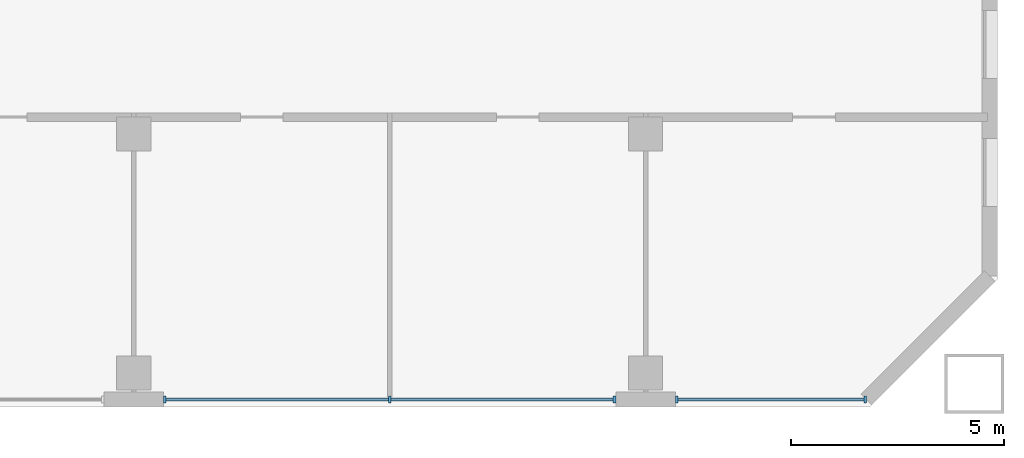
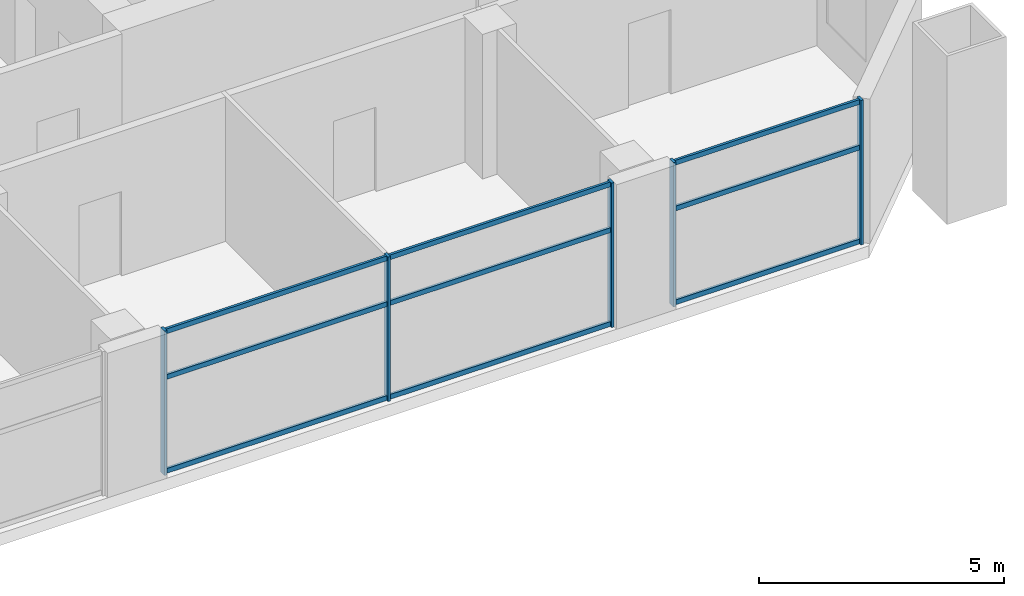
# One storey, part 6 of 19: 14 members, 2 elements without a shape of their own.
"""IFC4 building model written with IfcOpenShell, lengths in metres."""

from ifc_helpers import new_model, si_unit, direction, frame, origin, origin_2d, place, context, subcontext, project, spatial, rectangle, extrude, material, material_profile, profile_set, type_object, element, aggregate, save


model = new_model("IFC4")

# Units and contexts
model_context = context("Model", 3, precision=1e-05, world=origin(), true_north=direction((0.0, 1.0)))
body_context = subcontext(model_context, "Body", "Model", "MODEL_VIEW")
ifc_project = project(units=[si_unit("LENGTHUNIT", "METRE"), si_unit("AREAUNIT", "SQUARE_METRE"), si_unit("VOLUMEUNIT", "CUBIC_METRE"), si_unit("PLANEANGLEUNIT", "RADIAN"), si_unit("MASSUNIT", "GRAM", prefix="KILO")], contexts=[model_context])

# Site, building, storey
site_placement = place(None, origin())
site = spatial("IfcSite", under=ifc_project, at=site_placement, CompositionType="ELEMENT")
building_placement = place(site_placement, origin())
building = spatial("IfcBuilding", under=site, at=building_placement, Name="Tuart Gate Housing", CompositionType="ELEMENT")
storey_placement = place(building_placement, frame((0.0, 0.0, 67.39990234375)))
storey = spatial("IfcBuildingStorey", under=building, at=storey_placement, Name="L18", CompositionType="ELEMENT", Elevation=67.39990234375)

# Curtain wall, members
ifc_material_1 = material(Name="Aluminium and clear glass", Category="aluminium")
curtain_wall_type = type_object("IfcCurtainWallType", Name="Community floor glazing", PredefinedType="USERDEFINED", material=ifc_material_1)
curtain_wall_1_placement = place(storey_placement, origin())
curtain_wall_1 = element("IfcCurtainWall", 1, at=curtain_wall_1_placement, inside=storey, type_object=curtain_wall_type, Name="Community floor glazing B-S L18", ObjectType="COMMUNITY FLOOR GLAZING", PredefinedType="USERDEFINED")
ifc_material_2 = material(Name="Anodised aluminium", Category="aluminium")
ifc_material_profile_1 = material_profile(ifc_material_2, rectangle(XDim=0.06005859375, YDim=0.159912109375, at=origin_2d()), Name="60x160")
ifc_profile_set_1 = profile_set([ifc_material_profile_1], Name="Anodised aluminium")
member_type_1 = type_object("IfcMemberType", Name="Mullion 60 x 160", PredefinedType="MULLION", material=ifc_profile_set_1)
member_1_placement = place(storey_placement, frame((155.72998046875, 54.179931640625, 0.0), z_axis=(0.0, 0.0, 1.0), x_axis=(1.0, 0.0, 0.0)))
member_1 = element("IfcMember", 2, at=member_1_placement, type_object=member_type_1, Name="CW3 mullion 1", PredefinedType="MULLION", context=body_context, shape_type="SweptSolid", body=[
    extrude(rectangle(XDim=0.06005859375, YDim=0.159912109375, at=origin_2d()), origin(), (0.0, 0.0, 1.0), 3.60009765625),
])
member_2_placement = place(storey_placement, frame((161.0, 54.179931640625, 0.0), z_axis=(0.0, 0.0, 1.0), x_axis=(1.0, 0.0, 0.0)))
member_2 = element("IfcMember", 3, at=member_2_placement, type_object=member_type_1, Name="CW3 mullion 2", PredefinedType="MULLION", context=body_context, shape_type="SweptSolid", body=[
    extrude(rectangle(XDim=0.06005859375, YDim=0.159912109375, at=origin_2d()), origin(), (0.0, 0.0, 1.0), 3.60009765625),
])
member_3_placement = place(storey_placement, frame((166.27001953125, 54.179931640625, 0.0), z_axis=(0.0, 0.0, 1.0), x_axis=(1.0, 0.0, 0.0)))
member_3 = element("IfcMember", 4, at=member_3_placement, type_object=member_type_1, Name="CW3 mullion 3", PredefinedType="MULLION", context=body_context, shape_type="SweptSolid", body=[
    extrude(rectangle(XDim=0.06005859375, YDim=0.159912109375, at=origin_2d()), origin(), (0.0, 0.0, 1.0), 3.60009765625),
])

curtain_wall_2_placement = place(storey_placement, origin())
curtain_wall_2 = element("IfcCurtainWall", 5, at=curtain_wall_2_placement, inside=storey, type_object=curtain_wall_type, Name="Community floor glazing B-S L18", ObjectType="COMMUNITY FLOOR GLAZING", PredefinedType="USERDEFINED")
member_4_placement = place(storey_placement, frame((167.72998046875, 54.179931640625, 0.0), z_axis=(0.0, 0.0, 1.0), x_axis=(1.0, 0.0, 0.0)))
member_4 = element("IfcMember", 6, at=member_4_placement, type_object=member_type_1, Name="CW3 mullion 1", PredefinedType="MULLION", context=body_context, shape_type="SweptSolid", body=[
    extrude(rectangle(XDim=0.06005859375, YDim=0.159912109375, at=origin_2d()), origin(), (0.0, 0.0, 1.0), 3.60009765625),
])
member_5_placement = place(storey_placement, frame((172.1455078125, 54.179931640625, 0.0), z_axis=(0.0, 0.0, 1.0), x_axis=(1.0, 0.0, 0.0)))
member_5 = element("IfcMember", 7, at=member_5_placement, type_object=member_type_1, Name="CW3 mullion 2", PredefinedType="MULLION", context=body_context, shape_type="SweptSolid", body=[
    extrude(rectangle(XDim=0.06005859375, YDim=0.159912109375, at=origin_2d()), origin(), (0.0, 0.0, 1.0), 3.60009765625),
])

# Member
ifc_material_3 = material(Name="Anodised aluminium", Category="aluminium")
ifc_material_profile_2 = material_profile(ifc_material_3, rectangle(XDim=0.06005859375, YDim=0.1201171875, at=origin_2d()), Name="60x120")
ifc_profile_set_2 = profile_set([ifc_material_profile_2], Name="Anodised aluminium")
member_type_2 = type_object("IfcMemberType", Name="Transom 60 x 120", PredefinedType="USERDEFINED", material=ifc_profile_set_2)
member_6_placement = place(storey_placement, frame((155.760009765625, 54.179931640625, 0.06005859375), z_axis=(1.0, 0.0, 0.0), x_axis=(0.0, 1.0, 0.0)))
member_6 = element("IfcMember", 8, at=member_6_placement, type_object=member_type_2, Name="CW3 transom 1.1", ObjectType="TRANSOM", PredefinedType="USERDEFINED", context=body_context, shape_type="SweptSolid", body=[
    extrude(rectangle(XDim=0.06005859375, YDim=0.1201171875, at=origin_2d()), origin(), (0.0, 0.0, 1.0), 5.2099609375),
])

member_7_placement = place(storey_placement, frame((155.760009765625, 54.179931640625, 2.400146484375), z_axis=(1.0, 0.0, 0.0), x_axis=(0.0, 1.0, 0.0)))
member_7 = element("IfcMember", 9, at=member_7_placement, type_object=member_type_2, Name="CW3 transom 1.2", ObjectType="TRANSOM", PredefinedType="USERDEFINED", context=body_context, shape_type="SweptSolid", body=[
    extrude(rectangle(XDim=0.06005859375, YDim=0.1201171875, at=origin_2d()), origin(), (0.0, 0.0, 1.0), 5.2099609375),
])

member_8_placement = place(storey_placement, frame((155.760009765625, 54.179931640625, 3.5400390625), z_axis=(1.0, 0.0, 0.0), x_axis=(0.0, 1.0, 0.0)))
member_8 = element("IfcMember", 10, at=member_8_placement, type_object=member_type_2, Name="CW3 transom 1.3", ObjectType="TRANSOM", PredefinedType="USERDEFINED", context=body_context, shape_type="SweptSolid", body=[
    extrude(rectangle(XDim=0.06005859375, YDim=0.1201171875, at=origin_2d()), origin(), (0.0, 0.0, 1.0), 5.2099609375),
])

member_9_placement = place(storey_placement, frame((161.030029296875, 54.179931640625, 0.06005859375), z_axis=(1.0, 0.0, 0.0), x_axis=(0.0, 1.0, 0.0)))
member_9 = element("IfcMember", 11, at=member_9_placement, type_object=member_type_2, Name="CW3 transom 2.1", ObjectType="TRANSOM", PredefinedType="USERDEFINED", context=body_context, shape_type="SweptSolid", body=[
    extrude(rectangle(XDim=0.06005859375, YDim=0.1201171875, at=origin_2d()), origin(), (0.0, 0.0, 1.0), 5.2099609375),
])

member_10_placement = place(storey_placement, frame((161.030029296875, 54.179931640625, 2.400146484375), z_axis=(1.0, 0.0, 0.0), x_axis=(0.0, 1.0, 0.0)))
member_10 = element("IfcMember", 12, at=member_10_placement, type_object=member_type_2, Name="CW3 transom 2.2", ObjectType="TRANSOM", PredefinedType="USERDEFINED", context=body_context, shape_type="SweptSolid", body=[
    extrude(rectangle(XDim=0.06005859375, YDim=0.1201171875, at=origin_2d()), origin(), (0.0, 0.0, 1.0), 5.2099609375),
])

member_11_placement = place(storey_placement, frame((161.030029296875, 54.179931640625, 3.5400390625), z_axis=(1.0, 0.0, 0.0), x_axis=(0.0, 1.0, 0.0)))
member_11 = element("IfcMember", 13, at=member_11_placement, type_object=member_type_2, Name="CW3 transom 2.3", ObjectType="TRANSOM", PredefinedType="USERDEFINED", context=body_context, shape_type="SweptSolid", body=[
    extrude(rectangle(XDim=0.06005859375, YDim=0.1201171875, at=origin_2d()), origin(), (0.0, 0.0, 1.0), 5.2099609375),
])

aggregate(curtain_wall_1, [member_1, member_2, member_3, member_6, member_7, member_8, member_9, member_10, member_11])

member_12_placement = place(storey_placement, frame((167.760009765625, 54.179931640625, 0.06005859375), z_axis=(1.0, 0.0, 0.0), x_axis=(0.0, 1.0, 0.0)))
member_12 = element("IfcMember", 14, at=member_12_placement, type_object=member_type_2, Name="CW3 transom 1.1", ObjectType="TRANSOM", PredefinedType="USERDEFINED", context=body_context, shape_type="SweptSolid", body=[
    extrude(rectangle(XDim=0.06005859375, YDim=0.1201171875, at=origin_2d()), origin(), (0.0, 0.0, 1.0), 4.35546875),
])

member_13_placement = place(storey_placement, frame((167.760009765625, 54.179931640625, 2.400146484375), z_axis=(1.0, 0.0, 0.0), x_axis=(0.0, 1.0, 0.0)))
member_13 = element("IfcMember", 15, at=member_13_placement, type_object=member_type_2, Name="CW3 transom 1.2", ObjectType="TRANSOM", PredefinedType="USERDEFINED", context=body_context, shape_type="SweptSolid", body=[
    extrude(rectangle(XDim=0.06005859375, YDim=0.1201171875, at=origin_2d()), origin(), (0.0, 0.0, 1.0), 4.35546875),
])

member_14_placement = place(storey_placement, frame((167.760009765625, 54.179931640625, 3.5400390625), z_axis=(1.0, 0.0, 0.0), x_axis=(0.0, 1.0, 0.0)))
member_14 = element("IfcMember", 16, at=member_14_placement, type_object=member_type_2, Name="CW3 transom 1.3", ObjectType="TRANSOM", PredefinedType="USERDEFINED", context=body_context, shape_type="SweptSolid", body=[
    extrude(rectangle(XDim=0.06005859375, YDim=0.1201171875, at=origin_2d()), origin(), (0.0, 0.0, 1.0), 4.35546875),
])

aggregate(curtain_wall_2, [member_4, member_5, member_12, member_13, member_14])

save(model, "model.ifc")
